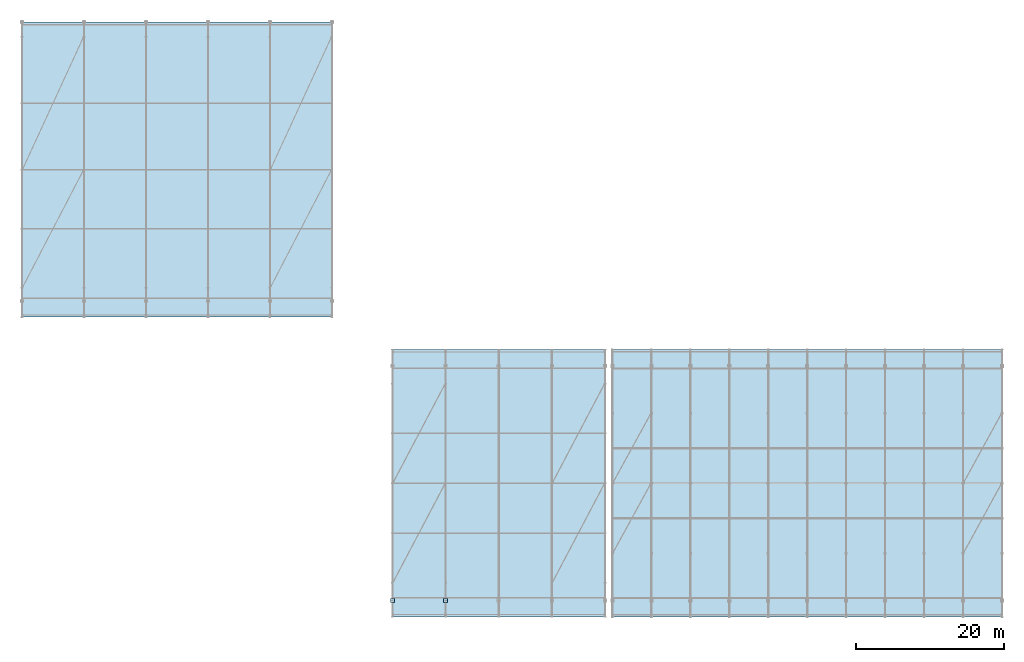
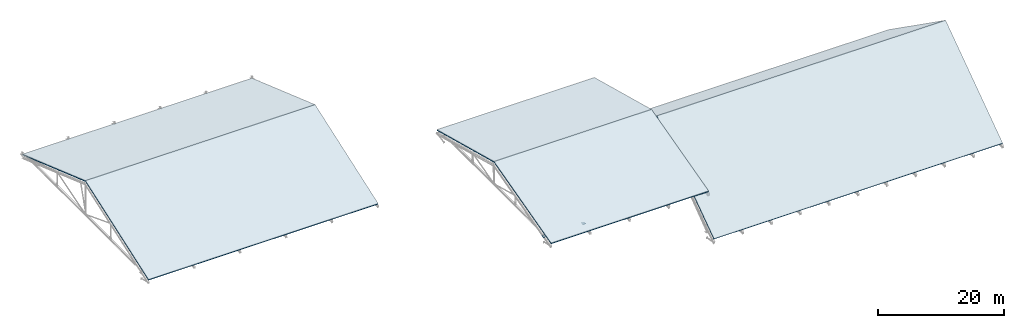
# One storey, part 30 of 57: 6 slabs, 2 plates.
"""IFC4 building model written with IfcOpenShell, lengths in metres."""

from ifc_helpers import new_model, si_unit, direction, frame, origin, origin_2d, place, context, subcontext, project, spatial, polyline, rectangle, outline, extrude, material, layer, layer_set, type_object, element, save


model = new_model("IFC4")

# Units and contexts
model_context = context("Model", 3, precision=1e-05, world=origin(), true_north=direction((0.0, 1.0)))
body_context = subcontext(model_context, "Body", "Model", "MODEL_VIEW")
ifc_project = project(units=[si_unit("LENGTHUNIT", "METRE"), si_unit("AREAUNIT", "SQUARE_METRE"), si_unit("VOLUMEUNIT", "CUBIC_METRE"), si_unit("PLANEANGLEUNIT", "RADIAN"), si_unit("MASSUNIT", "GRAM", prefix="KILO")], contexts=[model_context])

# Site, building, storey
site_placement = place(None, origin())
site = spatial("IfcSite", under=ifc_project, at=site_placement, CompositionType="ELEMENT")
building_placement = place(site_placement, origin())
building = spatial("IfcBuilding", under=site, at=building_placement, Name="Kelarvand Opera House", CompositionType="ELEMENT")
storey_placement = place(building_placement, frame((0.0, 0.0, 33.60009765625)))
storey = spatial("IfcBuildingStorey", under=building, at=storey_placement, Name="Roof", CompositionType="ELEMENT", Elevation=33.60009765625)

# Slabs
ifc_material_1 = material(Name="Precast concrete C40/50", Category="concrete")
ifc_layer_1 = layer(ifc_material_1, 0.179931640625, Name="Precast concrete C40/50", Category="concrete")
ifc_layer_set_1 = layer_set([ifc_layer_1], Name="Precast concrete C40/50")
slab_type = type_object("IfcSlabType", Name="Pitched Acoustic Roof Deck Slab 180", PredefinedType="ROOF", material=ifc_layer_set_1)
for number, where, z_axis, x_axis, name in (
    (1, (89.0, 44.39990234375, -9.60009765625), (0.0, -0.577390776956, 0.816467936104), (1.0, 0.0, 0.0), "V1 Pitched Roof Deck S"),
    (2, (89.0, 62.5, 3.199951171875), (0.0, 0.577390776956, 0.816467936104), (1.0, 0.0, 0.0), "V1 Pitched Roof Deck N"),
):
    element("IfcSlab", number, at=place(storey_placement, frame(where, z_axis=z_axis, x_axis=x_axis)), inside=storey, type_object=slab_type, Name=name, PredefinedType="ROOF", context=body_context, shape_type="SweptSolid", body=[
        extrude(outline(polyline([(0.0, 0.0), (52.800048828125, 0.0), (52.800048828125, 22.16877951462757), (0.0, 22.16877951462757), (0.0, 0.0)])), origin(), (0.0, 0.0, -1.0), 0.179931640625),
    ])
for number, where, z_axis, x_axis, name in (
    (3, (59.199951171875, 44.39990234375, 0.0), (0.0, -0.256321842249, 0.966591492403), (1.0, 0.0, 0.0), "V2 Pitched Roof Deck S"),
    (4, (59.199951171875, 62.5, 4.7998046875), (0.0, 0.256321842249, 0.966591492403), (1.0, 0.0, 0.0), "V2 Pitched Roof Deck N"),
):
    element("IfcSlab", number, at=place(storey_placement, frame(where, z_axis=z_axis, x_axis=x_axis)), inside=storey, type_object=slab_type, Name=name, PredefinedType="ROOF", context=body_context, shape_type="SweptSolid", body=[
        extrude(outline(polyline([(0.0, 0.0), (28.800048828125, 0.0), (28.800048828125, 18.725695186132178), (0.0, 18.725695186132178), (0.0, 0.0)])), origin(), (0.0, 0.0, -1.0), 0.179931640625),
    ])
for number, where, z_axis, x_axis, name in (
    (5, (9.0, 85.0, -14.10009765625), (0.0, -0.330350424728, 0.943858356366), (1.0, 0.0, 0.0), "V3 Pitched Roof Deck S"),
    (6, (9.0, 105.0, -7.10009765625), (0.0, 0.330350424728, 0.943858356366), (1.0, 0.0, 0.0), "V3 Pitched Roof Deck N"),
):
    element("IfcSlab", number, at=place(storey_placement, frame(where, z_axis=z_axis, x_axis=x_axis)), inside=storey, type_object=slab_type, Name=name, PredefinedType="ROOF", context=body_context, shape_type="SweptSolid", body=[
        extrude(outline(polyline([(0.0, 0.0), (42.0, 0.0), (42.0, 21.18962010041709), (0.0, 21.18962010041709), (0.0, 0.0)])), origin(), (0.0, 0.0, -1.0), 0.179931640625),
    ])

# Plates
ifc_material_2 = material(Name="Steel S355", Category="steel")
ifc_layer_2 = layer(ifc_material_2, 0.035888671875, Name="Steel S355", Category="steel")
ifc_layer_set_2 = layer_set([ifc_layer_2], Name="Steel S355")
plate_type = type_object("IfcPlateType", Name="Steel Truss Bearing Base Plate 36mm", PredefinedType="USERDEFINED", material=ifc_layer_set_2)
for number, where, z_axis, x_axis, name in (
    (7, (59.199951171875, 46.60009765625, 0.0), (0.0, 0.0, 1.0), (1.0, 0.0, 0.0), "V2 Roof Truss Bearing Plate 1S"),
    (8, (66.39990234375, 46.60009765625, 0.0), (0.0, 0.0, 1.0), (1.0, 0.0, 0.0), "V2 Roof Truss Bearing Plate 2S"),
):
    element("IfcPlate", number, at=place(storey_placement, frame(where, z_axis=z_axis, x_axis=x_axis)), inside=storey, type_object=plate_type, Name=name, ObjectType="BASE PLATE", PredefinedType="USERDEFINED", context=body_context, shape_type="SweptSolid", body=[
        extrude(rectangle(XDim=0.550048828125, YDim=0.550048828125, at=origin_2d()), origin(), (0.0, 0.0, 1.0), 0.035888671875),
    ])

save(model, "model.ifc")
